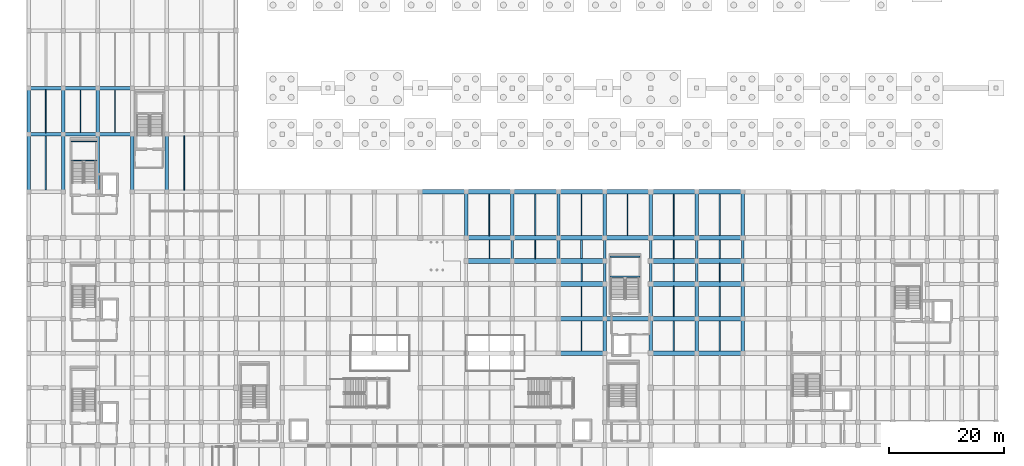
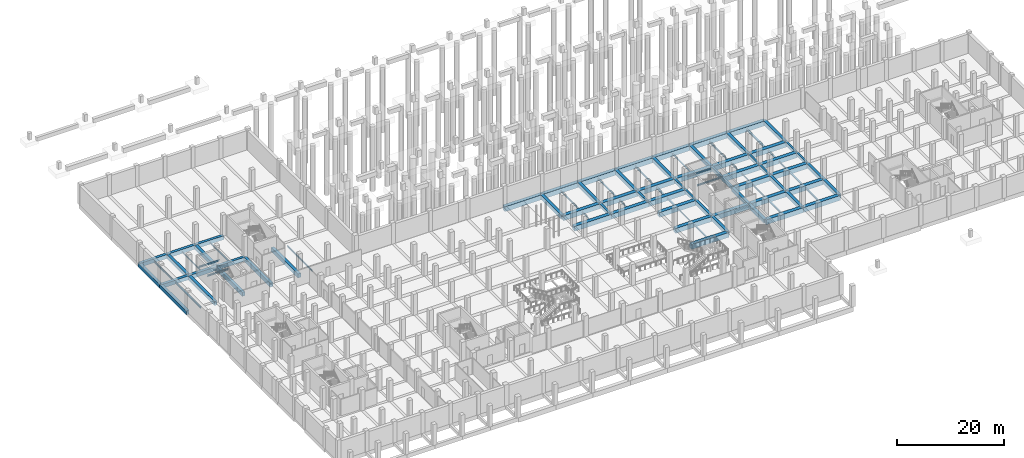
# One storey, part 15 of 36: 96 beams.
"""IFC4 building model written with IfcOpenShell, lengths in metres."""

from ifc_helpers import new_model, si_unit, direction, frame, origin, origin_2d, place, context, subcontext, project, spatial, rectangle, i_section, extrude, material, material_profile, profile_set, type_object, element, save


model = new_model("IFC4")

# Units and contexts
model_context = context("Model", 3, precision=1e-05, world=origin(), true_north=direction((0.0, 1.0)))
body_context = subcontext(model_context, "Body", "Model", "MODEL_VIEW")
ifc_project = project(units=[si_unit("LENGTHUNIT", "METRE"), si_unit("AREAUNIT", "SQUARE_METRE"), si_unit("VOLUMEUNIT", "CUBIC_METRE"), si_unit("PLANEANGLEUNIT", "RADIAN"), si_unit("MASSUNIT", "GRAM", prefix="KILO")], contexts=[model_context])

# Site, building, storey
site_placement = place(None, origin())
site = spatial("IfcSite", under=ifc_project, at=site_placement, CompositionType="ELEMENT")
building_placement = place(site_placement, origin())
building = spatial("IfcBuilding", under=site, at=building_placement, Name="Verrall Gate Interchange", CompositionType="ELEMENT")
storey_placement = place(building_placement, frame((0.0, 0.0, -4.800048828125)))
storey = spatial("IfcBuildingStorey", under=building, at=storey_placement, Name="B1", CompositionType="ELEMENT", Elevation=-4.800048828125)

# Beams
ifc_material_1 = material(Name="Concrete CSA A23.1 35 MPa (Class S-2)", Category="concrete")
ifc_material_profile_1 = material_profile(ifc_material_1, rectangle(XDim=0.800048828125, YDim=1.10009765625, at=origin_2d()), Name="RC800x1100")
ifc_profile_set_1 = profile_set([ifc_material_profile_1], Name="Concrete CSA A23.1 35 MPa (Class S-2)")
beam_type_1 = type_object("IfcBeamType", Name="B-01 Structural Beam RC800x1100", PredefinedType="BEAM", material=ifc_profile_set_1)
for number, where, z_axis, x_axis, name in (
    (1, (92.0, 28.0, -0.550048828125), (1.0, 0.0, 0.0), (0.0, 1.0, 0.0), "B1 Girder BM-B1-0121 (B-01)"),
    (2, (108.0, 28.0, -0.550048828125), (1.0, 0.0, 0.0), (0.0, 1.0, 0.0), "B1 Girder BM-B1-0122 (B-01)"),
    (3, (116.0, 28.0, -0.550048828125), (1.0, 0.0, 0.0), (0.0, 1.0, 0.0), "B1 Girder BM-B1-0123 (B-01)"),
    (4, (92.0, 34.0, -0.550048828125), (1.0, 0.0, 0.0), (0.0, 1.0, 0.0), "B1 Girder BM-B1-0141 (B-01)"),
    (5, (100.0, 34.0, -0.550048828125), (1.0, 0.0, 0.0), (0.0, 1.0, 0.0), "B1 Girder BM-B1-0142 (B-01)"),
    (6, (108.0, 34.0, -0.550048828125), (1.0, 0.0, 0.0), (0.0, 1.0, 0.0), "B1 Girder BM-B1-0143 (B-01)"),
    (7, (116.0, 34.0, -0.550048828125), (1.0, 0.0, 0.0), (0.0, 1.0, 0.0), "B1 Girder BM-B1-0144 (B-01)"),
    (8, (92.0, 40.0, -0.550048828125), (1.0, 0.0, 0.0), (0.0, 1.0, 0.0), "B1 Girder BM-B1-0163 (B-01)"),
    (9, (108.0, 40.0, -0.550048828125), (1.0, 0.0, 0.0), (0.0, 1.0, 0.0), "B1 Girder BM-B1-0164 (B-01)"),
    (10, (116.0, 40.0, -0.550048828125), (1.0, 0.0, 0.0), (0.0, 1.0, 0.0), "B1 Girder BM-B1-0165 (B-01)"),
    (11, (76.0, 44.0, -0.550048828125), (1.0, 0.0, 0.0), (0.0, 1.0, 0.0), "B1 Girder BM-B1-0181 (B-01)"),
    (12, (84.0, 44.0, -0.550048828125), (1.0, 0.0, 0.0), (0.0, 1.0, 0.0), "B1 Girder BM-B1-0182 (B-01)"),
    (13, (92.0, 44.0, -0.550048828125), (1.0, 0.0, 0.0), (0.0, 1.0, 0.0), "B1 Girder BM-B1-0183 (B-01)"),
    (14, (108.0, 44.0, -0.550048828125), (1.0, 0.0, 0.0), (0.0, 1.0, 0.0), "B1 Girder BM-B1-0184 (B-01)"),
    (15, (116.0, 44.0, -0.550048828125), (1.0, 0.0, 0.0), (0.0, 1.0, 0.0), "B1 Girder BM-B1-0185 (B-01)"),
    (16, (76.0, 48.0, -0.550048828125), (1.0, 0.0, 0.0), (0.0, 1.0, 0.0), "B1 Girder BM-B1-0205 (B-01)"),
    (17, (84.0, 48.0, -0.550048828125), (1.0, 0.0, 0.0), (0.0, 1.0, 0.0), "B1 Girder BM-B1-0206 (B-01)"),
    (18, (92.0, 48.0, -0.550048828125), (1.0, 0.0, 0.0), (0.0, 1.0, 0.0), "B1 Girder BM-B1-0207 (B-01)"),
    (19, (100.0, 48.0, -0.550048828125), (1.0, 0.0, 0.0), (0.0, 1.0, 0.0), "B1 Girder BM-B1-0208 (B-01)"),
    (20, (108.0, 48.0, -0.550048828125), (1.0, 0.0, 0.0), (0.0, 1.0, 0.0), "B1 Girder BM-B1-0209 (B-01)"),
    (21, (116.0, 48.0, -0.550048828125), (1.0, 0.0, 0.0), (0.0, 1.0, 0.0), "B1 Girder BM-B1-0210 (B-01)"),
    (22, (68.0, 56.0, -0.550048828125), (1.0, 0.0, 0.0), (0.0, 1.0, 0.0), "B1 Girder BM-B1-0226 (B-01)"),
    (23, (76.0, 56.0, -0.550048828125), (1.0, 0.0, 0.0), (0.0, 1.0, 0.0), "B1 Girder BM-B1-0227 (B-01)"),
    (24, (84.0, 56.0, -0.550048828125), (1.0, 0.0, 0.0), (0.0, 1.0, 0.0), "B1 Girder BM-B1-0228 (B-01)"),
    (25, (92.0, 56.0, -0.550048828125), (1.0, 0.0, 0.0), (0.0, 1.0, 0.0), "B1 Girder BM-B1-0229 (B-01)"),
    (26, (100.0, 56.0, -0.550048828125), (1.0, 0.0, 0.0), (0.0, 1.0, 0.0), "B1 Girder BM-B1-0230 (B-01)"),
    (27, (108.0, 56.0, -0.550048828125), (1.0, 0.0, 0.0), (0.0, 1.0, 0.0), "B1 Girder BM-B1-0231 (B-01)"),
    (28, (116.0, 56.0, -0.550048828125), (1.0, 0.0, 0.0), (0.0, 1.0, 0.0), "B1 Girder BM-B1-0232 (B-01)"),
):
    element("IfcBeam", number, at=place(storey_placement, frame(where, z_axis=z_axis, x_axis=x_axis)), inside=storey, type_object=beam_type_1, Name=name, PredefinedType="BEAM", context=body_context, shape_type="SweptSolid", body=[
        extrude(rectangle(XDim=0.800048828125, YDim=1.10009765625, at=origin_2d()), origin(), (0.0, 0.0, 1.0), 8.0),
    ])
ifc_material_2 = material(Name="Concrete CSA A23.1 40 MPa (Class N)", Category="concrete")
ifc_material_profile_2 = material_profile(ifc_material_2, rectangle(XDim=0.60009765625, YDim=0.89990234375, at=origin_2d()), Name="RC600x900")
ifc_profile_set_2 = profile_set([ifc_material_profile_2], Name="Concrete CSA A23.1 40 MPa (Class N)")
beam_type_2 = type_object("IfcBeamType", Name="B-02 Structural Beam RC600x900", PredefinedType="BEAM", material=ifc_profile_set_2)
for number, where, z_axis, x_axis, name in (
    (29, (0.0, 66.0, -0.449951171875), (1.0, 0.0, 0.0), (0.0, 1.0, 0.0), "B1 Girder BM-B1-0240 (B-02)"),
    (30, (6.0, 66.0, -0.449951171875), (1.0, 0.0, 0.0), (0.0, 1.0, 0.0), "B1 Girder BM-B1-0241 (B-02)"),
    (31, (12.0, 66.0, -0.449951171875), (1.0, 0.0, 0.0), (0.0, 1.0, 0.0), "B1 Girder BM-B1-0242 (B-02)"),
    (32, (0.0, 74.0, -0.449951171875), (1.0, 0.0, 0.0), (0.0, 1.0, 0.0), "B1 Girder BM-B1-0245 (B-02)"),
    (33, (6.0, 74.0, -0.449951171875), (1.0, 0.0, 0.0), (0.0, 1.0, 0.0), "B1 Girder BM-B1-0246 (B-02)"),
    (34, (12.0, 74.0, -0.449951171875), (1.0, 0.0, 0.0), (0.0, 1.0, 0.0), "B1 Girder BM-B1-0247 (B-02)"),
):
    element("IfcBeam", number, at=place(storey_placement, frame(where, z_axis=z_axis, x_axis=x_axis)), inside=storey, type_object=beam_type_2, Name=name, PredefinedType="BEAM", context=body_context, shape_type="SweptSolid", body=[
        extrude(rectangle(XDim=0.60009765625, YDim=0.89990234375, at=origin_2d()), origin(), (0.0, 0.0, 1.0), 6.0),
    ])
beam_1_placement = place(storey_placement, frame((0.0, 56.0, -0.449951171875), z_axis=(0.0, 1.0, 0.0), x_axis=(-1.0, 0.0, 0.0)))
element("IfcBeam", 35, at=beam_1_placement, inside=storey, type_object=beam_type_2, Name="B1 Girder BM-B1-0274 (B-02)", PredefinedType="BEAM", context=body_context, shape_type="SweptSolid", body=[
    extrude(rectangle(XDim=0.60009765625, YDim=0.89990234375, at=origin_2d()), origin(), (0.0, 0.0, 1.0), 10.0),
])
beam_2_placement = place(storey_placement, frame((0.0, 66.0, -0.449951171875), z_axis=(0.0, 1.0, 0.0), x_axis=(-1.0, 0.0, 0.0)))
element("IfcBeam", 36, at=beam_2_placement, inside=storey, type_object=beam_type_2, Name="B1 Girder BM-B1-0275 (B-02)", PredefinedType="BEAM", context=body_context, shape_type="SweptSolid", body=[
    extrude(rectangle(XDim=0.60009765625, YDim=0.89990234375, at=origin_2d()), origin(), (0.0, 0.0, 1.0), 8.0),
])
beam_3_placement = place(storey_placement, frame((6.0, 56.0, -0.449951171875), z_axis=(0.0, 1.0, 0.0), x_axis=(-1.0, 0.0, 0.0)))
element("IfcBeam", 37, at=beam_3_placement, inside=storey, type_object=beam_type_2, Name="B1 Girder BM-B1-0290 (B-02)", PredefinedType="BEAM", context=body_context, shape_type="SweptSolid", body=[
    extrude(rectangle(XDim=0.60009765625, YDim=0.89990234375, at=origin_2d()), origin(), (0.0, 0.0, 1.0), 10.0),
])
beam_4_placement = place(storey_placement, frame((6.0, 66.0, -0.449951171875), z_axis=(0.0, 1.0, 0.0), x_axis=(-1.0, 0.0, 0.0)))
element("IfcBeam", 38, at=beam_4_placement, inside=storey, type_object=beam_type_2, Name="B1 Girder BM-B1-0291 (B-02)", PredefinedType="BEAM", context=body_context, shape_type="SweptSolid", body=[
    extrude(rectangle(XDim=0.60009765625, YDim=0.89990234375, at=origin_2d()), origin(), (0.0, 0.0, 1.0), 8.0),
])
beam_5_placement = place(storey_placement, frame((12.0, 56.0, -0.449951171875), z_axis=(0.0, 1.0, 0.0), x_axis=(-1.0, 0.0, 0.0)))
element("IfcBeam", 39, at=beam_5_placement, inside=storey, type_object=beam_type_2, Name="B1 Girder BM-B1-0305 (B-02)", PredefinedType="BEAM", context=body_context, shape_type="SweptSolid", body=[
    extrude(rectangle(XDim=0.60009765625, YDim=0.89990234375, at=origin_2d()), origin(), (0.0, 0.0, 1.0), 10.0),
])
beam_6_placement = place(storey_placement, frame((12.0, 66.0, -0.449951171875), z_axis=(0.0, 1.0, 0.0), x_axis=(-1.0, 0.0, 0.0)))
element("IfcBeam", 40, at=beam_6_placement, inside=storey, type_object=beam_type_2, Name="B1 Girder BM-B1-0306 (B-02)", PredefinedType="BEAM", context=body_context, shape_type="SweptSolid", body=[
    extrude(rectangle(XDim=0.60009765625, YDim=0.89990234375, at=origin_2d()), origin(), (0.0, 0.0, 1.0), 8.0),
])
for number, where, z_axis, x_axis, name in (
    (41, (18.0, 56.0, -0.449951171875), (0.0, 1.0, 0.0), (-1.0, 0.0, 0.0), "B1 Girder BM-B1-0320 (B-02)"),
    (42, (24.0, 56.0, -0.449951171875), (0.0, 1.0, 0.0), (-1.0, 0.0, 0.0), "B1 Girder BM-B1-0335 (B-02)"),
):
    element("IfcBeam", number, at=place(storey_placement, frame(where, z_axis=z_axis, x_axis=x_axis)), inside=storey, type_object=beam_type_2, Name=name, PredefinedType="BEAM", context=body_context, shape_type="SweptSolid", body=[
        extrude(rectangle(XDim=0.60009765625, YDim=0.89990234375, at=origin_2d()), origin(), (0.0, 0.0, 1.0), 10.0),
    ])
for number, where, z_axis, x_axis, name in (
    (43, (76.0, 48.0, -0.449951171875), (0.0, 1.0, 0.0), (-1.0, 0.0, 0.0), "B1 Girder BM-B1-0419 (B-02)"),
    (44, (84.0, 48.0, -0.449951171875), (0.0, 1.0, 0.0), (-1.0, 0.0, 0.0), "B1 Girder BM-B1-0430 (B-02)"),
    (45, (92.0, 48.0, -0.449951171875), (0.0, 1.0, 0.0), (-1.0, 0.0, 0.0), "B1 Girder BM-B1-0439 (B-02)"),
):
    element("IfcBeam", number, at=place(storey_placement, frame(where, z_axis=z_axis, x_axis=x_axis)), inside=storey, type_object=beam_type_2, Name=name, PredefinedType="BEAM", context=body_context, shape_type="SweptSolid", body=[
        extrude(rectangle(XDim=0.60009765625, YDim=0.89990234375, at=origin_2d()), origin(), (0.0, 0.0, 1.0), 8.0),
    ])
for number, where, z_axis, x_axis, name in (
    (46, (100.0, 28.0, -0.449951171875), (0.0, 1.0, 0.0), (-1.0, 0.0, 0.0), "B1 Girder BM-B1-0446 (B-02)"),
    (47, (100.0, 34.0, -0.449951171875), (0.0, 1.0, 0.0), (-1.0, 0.0, 0.0), "B1 Girder BM-B1-0447 (B-02)"),
):
    element("IfcBeam", number, at=place(storey_placement, frame(where, z_axis=z_axis, x_axis=x_axis)), inside=storey, type_object=beam_type_2, Name=name, PredefinedType="BEAM", context=body_context, shape_type="SweptSolid", body=[
        extrude(rectangle(XDim=0.60009765625, YDim=0.89990234375, at=origin_2d()), origin(), (0.0, 0.0, 1.0), 6.0),
    ])
beam_7_placement = place(storey_placement, frame((100.0, 48.0, -0.449951171875), z_axis=(0.0, 1.0, 0.0), x_axis=(-1.0, 0.0, 0.0)))
element("IfcBeam", 48, at=beam_7_placement, inside=storey, type_object=beam_type_2, Name="B1 Girder BM-B1-0450 (B-02)", PredefinedType="BEAM", context=body_context, shape_type="SweptSolid", body=[
    extrude(rectangle(XDim=0.60009765625, YDim=0.89990234375, at=origin_2d()), origin(), (0.0, 0.0, 1.0), 8.0),
])
for number, where, z_axis, x_axis, name in (
    (49, (108.0, 28.0, -0.449951171875), (0.0, 1.0, 0.0), (-1.0, 0.0, 0.0), "B1 Girder BM-B1-0457 (B-02)"),
    (50, (108.0, 34.0, -0.449951171875), (0.0, 1.0, 0.0), (-1.0, 0.0, 0.0), "B1 Girder BM-B1-0458 (B-02)"),
):
    element("IfcBeam", number, at=place(storey_placement, frame(where, z_axis=z_axis, x_axis=x_axis)), inside=storey, type_object=beam_type_2, Name=name, PredefinedType="BEAM", context=body_context, shape_type="SweptSolid", body=[
        extrude(rectangle(XDim=0.60009765625, YDim=0.89990234375, at=origin_2d()), origin(), (0.0, 0.0, 1.0), 6.0),
    ])
beam_8_placement = place(storey_placement, frame((108.0, 48.0, -0.449951171875), z_axis=(0.0, 1.0, 0.0), x_axis=(-1.0, 0.0, 0.0)))
element("IfcBeam", 51, at=beam_8_placement, inside=storey, type_object=beam_type_2, Name="B1 Girder BM-B1-0461 (B-02)", PredefinedType="BEAM", context=body_context, shape_type="SweptSolid", body=[
    extrude(rectangle(XDim=0.60009765625, YDim=0.89990234375, at=origin_2d()), origin(), (0.0, 0.0, 1.0), 8.0),
])
for number, where, z_axis, x_axis, name in (
    (52, (116.0, 28.0, -0.449951171875), (0.0, 1.0, 0.0), (-1.0, 0.0, 0.0), "B1 Girder BM-B1-0465 (B-02)"),
    (53, (116.0, 34.0, -0.449951171875), (0.0, 1.0, 0.0), (-1.0, 0.0, 0.0), "B1 Girder BM-B1-0466 (B-02)"),
):
    element("IfcBeam", number, at=place(storey_placement, frame(where, z_axis=z_axis, x_axis=x_axis)), inside=storey, type_object=beam_type_2, Name=name, PredefinedType="BEAM", context=body_context, shape_type="SweptSolid", body=[
        extrude(rectangle(XDim=0.60009765625, YDim=0.89990234375, at=origin_2d()), origin(), (0.0, 0.0, 1.0), 6.0),
    ])
beam_9_placement = place(storey_placement, frame((116.0, 48.0, -0.449951171875), z_axis=(0.0, 1.0, 0.0), x_axis=(-1.0, 0.0, 0.0)))
element("IfcBeam", 54, at=beam_9_placement, inside=storey, type_object=beam_type_2, Name="B1 Girder BM-B1-0469 (B-02)", PredefinedType="BEAM", context=body_context, shape_type="SweptSolid", body=[
    extrude(rectangle(XDim=0.60009765625, YDim=0.89990234375, at=origin_2d()), origin(), (0.0, 0.0, 1.0), 8.0),
])
for number, where, z_axis, x_axis, name in (
    (55, (124.0, 28.0, -0.449951171875), (0.0, 1.0, 0.0), (-1.0, 0.0, 0.0), "B1 Girder BM-B1-0473 (B-02)"),
    (56, (124.0, 34.0, -0.449951171875), (0.0, 1.0, 0.0), (-1.0, 0.0, 0.0), "B1 Girder BM-B1-0474 (B-02)"),
):
    element("IfcBeam", number, at=place(storey_placement, frame(where, z_axis=z_axis, x_axis=x_axis)), inside=storey, type_object=beam_type_2, Name=name, PredefinedType="BEAM", context=body_context, shape_type="SweptSolid", body=[
        extrude(rectangle(XDim=0.60009765625, YDim=0.89990234375, at=origin_2d()), origin(), (0.0, 0.0, 1.0), 6.0),
    ])
beam_10_placement = place(storey_placement, frame((124.0, 48.0, -0.449951171875), z_axis=(0.0, 1.0, 0.0), x_axis=(-1.0, 0.0, 0.0)))
element("IfcBeam", 57, at=beam_10_placement, inside=storey, type_object=beam_type_2, Name="B1 Girder BM-B1-0477 (B-02)", PredefinedType="BEAM", context=body_context, shape_type="SweptSolid", body=[
    extrude(rectangle(XDim=0.60009765625, YDim=0.89990234375, at=origin_2d()), origin(), (0.0, 0.0, 1.0), 8.0),
])
ifc_material_3 = material(Name="Concrete CSA A23.1 40 MPa (Class N)", Category="concrete")
ifc_material_profile_3 = material_profile(ifc_material_3, rectangle(XDim=0.449951171875, YDim=0.699951171875, at=origin_2d()), Name="RC450x700")
ifc_profile_set_3 = profile_set([ifc_material_profile_3], Name="Concrete CSA A23.1 40 MPa (Class N)")
beam_type_3 = type_object("IfcBeamType", Name="B-03 Structural Beam RC450x700", PredefinedType="BEAM", material=ifc_profile_set_3)
for number, where, z_axis, x_axis, name in (
    (58, (84.0, 44.0, -0.349853515625), (0.0, 1.0, 0.0), (-1.0, 0.0, 0.0), "B1 Girder BM-B1-0429 (B-03)"),
    (59, (92.0, 44.0, -0.349853515625), (0.0, 1.0, 0.0), (-1.0, 0.0, 0.0), "B1 Girder BM-B1-0438 (B-03)"),
    (60, (100.0, 40.0, -0.349853515625), (0.0, 1.0, 0.0), (-1.0, 0.0, 0.0), "B1 Girder BM-B1-0448 (B-03)"),
    (61, (100.0, 44.0, -0.349853515625), (0.0, 1.0, 0.0), (-1.0, 0.0, 0.0), "B1 Girder BM-B1-0449 (B-03)"),
    (62, (108.0, 40.0, -0.349853515625), (0.0, 1.0, 0.0), (-1.0, 0.0, 0.0), "B1 Girder BM-B1-0459 (B-03)"),
    (63, (108.0, 44.0, -0.349853515625), (0.0, 1.0, 0.0), (-1.0, 0.0, 0.0), "B1 Girder BM-B1-0460 (B-03)"),
    (64, (116.0, 40.0, -0.349853515625), (0.0, 1.0, 0.0), (-1.0, 0.0, 0.0), "B1 Girder BM-B1-0467 (B-03)"),
    (65, (116.0, 44.0, -0.349853515625), (0.0, 1.0, 0.0), (-1.0, 0.0, 0.0), "B1 Girder BM-B1-0468 (B-03)"),
    (66, (124.0, 40.0, -0.349853515625), (0.0, 1.0, 0.0), (-1.0, 0.0, 0.0), "B1 Girder BM-B1-0475 (B-03)"),
    (67, (124.0, 44.0, -0.349853515625), (0.0, 1.0, 0.0), (-1.0, 0.0, 0.0), "B1 Girder BM-B1-0476 (B-03)"),
):
    element("IfcBeam", number, at=place(storey_placement, frame(where, z_axis=z_axis, x_axis=x_axis)), inside=storey, type_object=beam_type_3, Name=name, PredefinedType="BEAM", context=body_context, shape_type="SweptSolid", body=[
        extrude(rectangle(XDim=0.449951171875, YDim=0.699951171875, at=origin_2d()), origin(), (0.0, 0.0, 1.0), 4.0),
    ])
ifc_material_4 = material(Name="Structural Steel CSA G40.21 350W", Category="steel")
ifc_material_profile_4 = material_profile(ifc_material_4, i_section(OverallWidth=0.205078125, OverallDepth=0.35400390625, WebThickness=0.009521484375, FlangeThickness=0.016845703125, FilletRadius=0.012939453125, at=origin_2d()), Name="W360x79")
ifc_profile_set_4 = profile_set([ifc_material_profile_4], Name="Structural Steel CSA G40.21 350W")
beam_type_4 = type_object("IfcBeamType", Name="B-14 Structural Beam W360x79", PredefinedType="BEAM", material=ifc_profile_set_4)
for number, where, z_axis, x_axis, name in (
    (68, (7.35009765625, 61.469970703125, 2.030029296875), (1.0, 0.0, 0.0), (0.0, 1.0, 0.0), "B1 Core C3 Mid-Landing Beam 1"),
    (69, (7.35009765625, 64.719970703125, 2.030029296875), (1.0, 0.0, 0.0), (0.0, 1.0, 0.0), "B1 Core C3 Mid-Landing Beam 2"),
):
    element("IfcBeam", number, at=place(storey_placement, frame(where, z_axis=z_axis, x_axis=x_axis)), inside=storey, type_object=beam_type_4, Name=name, PredefinedType="BEAM", context=body_context, shape_type="SweptSolid", body=[
        extrude(i_section(OverallWidth=0.205078125, OverallDepth=0.35400390625, WebThickness=0.009521484375, FlangeThickness=0.016845703125, FilletRadius=0.012939453125, at=origin_2d()), origin(), (0.0, 0.0, 1.0), 4.5),
    ])
for number, where, z_axis, x_axis, name in (
    (70, (100.9599609375, 41.27001953125, 2.030029296875), (1.0, 0.0, 0.0), (0.0, 1.0, 0.0), "B1 Core C7 Mid-Landing Beam 1"),
    (71, (100.9599609375, 44.719970703125, 2.030029296875), (1.0, 0.0, 0.0), (0.0, 1.0, 0.0), "B1 Core C7 Mid-Landing Beam 2"),
):
    element("IfcBeam", number, at=place(storey_placement, frame(where, z_axis=z_axis, x_axis=x_axis)), inside=storey, type_object=beam_type_4, Name=name, PredefinedType="BEAM", context=body_context, shape_type="SweptSolid", body=[
        extrude(i_section(OverallWidth=0.205078125, OverallDepth=0.35400390625, WebThickness=0.009521484375, FlangeThickness=0.016845703125, FilletRadius=0.012939453125, at=origin_2d()), origin(), (0.0, 0.0, 1.0), 5.179931640625),
    ])
ifc_material_5 = material(Name="Structural Steel CSA G40.21 350W", Category="steel")
ifc_material_profile_5 = material_profile(ifc_material_5, i_section(OverallWidth=0.172119140625, OverallDepth=0.35791015625, WebThickness=0.0078125, FlangeThickness=0.01318359375, FilletRadius=0.010986328125, at=origin_2d()), Name="W360x57")
ifc_profile_set_5 = profile_set([ifc_material_profile_5], Name="Structural Steel CSA G40.21 350W")
beam_type_5 = type_object("IfcBeamType", Name="J-01 Floor Joist W360x57", PredefinedType="JOIST", material=ifc_profile_set_5)
beam_11_placement = place(storey_placement, frame((112.0, 34.39990234375, -0.62890625), z_axis=(0.0, 1.0, 0.0), x_axis=(-1.0, 0.0, 0.0)))
element("IfcBeam", 72, at=beam_11_placement, inside=storey, type_object=beam_type_5, Name="B1 Secondary Floor Joist JST-B1-0638", PredefinedType="JOIST", context=body_context, shape_type="SweptSolid", body=[
    extrude(i_section(OverallWidth=0.172119140625, OverallDepth=0.35791015625, WebThickness=0.0078125, FlangeThickness=0.01318359375, FilletRadius=0.010986328125, at=origin_2d()), origin(), (0.0, 0.0, 1.0), 5.2001953125),
])
for number, where, z_axis, x_axis, name in (
    (73, (120.0, 40.39990234375, -0.62890625), (0.0, 1.0, 0.0), (-1.0, 0.0, 0.0), "B1 Secondary Floor Joist JST-B1-0656"),
    (74, (88.0, 44.39990234375, -0.62890625), (0.0, 1.0, 0.0), (-1.0, 0.0, 0.0), "B1 Secondary Floor Joist JST-B1-0672"),
):
    element("IfcBeam", number, at=place(storey_placement, frame(where, z_axis=z_axis, x_axis=x_axis)), inside=storey, type_object=beam_type_5, Name=name, PredefinedType="JOIST", context=body_context, shape_type="SweptSolid", body=[
        extrude(i_section(OverallWidth=0.172119140625, OverallDepth=0.35791015625, WebThickness=0.0078125, FlangeThickness=0.01318359375, FilletRadius=0.010986328125, at=origin_2d()), origin(), (0.0, 0.0, 1.0), 3.2001953125),
    ])
beam_12_placement = place(storey_placement, frame((112.0, 48.39990234375, -0.62890625), z_axis=(0.0, 1.0, 0.0), x_axis=(-1.0, 0.0, 0.0)))
element("IfcBeam", 75, at=beam_12_placement, inside=storey, type_object=beam_type_5, Name="B1 Secondary Floor Joist JST-B1-0695", PredefinedType="JOIST", context=body_context, shape_type="SweptSolid", body=[
    extrude(i_section(OverallWidth=0.172119140625, OverallDepth=0.35791015625, WebThickness=0.0078125, FlangeThickness=0.01318359375, FilletRadius=0.010986328125, at=origin_2d()), origin(), (0.0, 0.0, 1.0), 7.2001953125),
])
beam_13_placement = place(storey_placement, frame((27.0, 56.300048828125, -0.62890625), z_axis=(0.0, 1.0, 0.0), x_axis=(-1.0, 0.0, 0.0)))
element("IfcBeam", 76, at=beam_13_placement, inside=storey, type_object=beam_type_5, Name="B1 Secondary Floor Joist JST-B1-0705", PredefinedType="JOIST", context=body_context, shape_type="SweptSolid", body=[
    extrude(i_section(OverallWidth=0.172119140625, OverallDepth=0.35791015625, WebThickness=0.0078125, FlangeThickness=0.01318359375, FilletRadius=0.010986328125, at=origin_2d()), origin(), (0.0, 0.0, 1.0), 9.39990234375),
])
beam_14_placement = place(storey_placement, frame((3.0, 66.300048828125, -0.62890625), z_axis=(0.0, 1.0, 0.0), x_axis=(-1.0, 0.0, 0.0)))
element("IfcBeam", 77, at=beam_14_placement, inside=storey, type_object=beam_type_5, Name="B1 Secondary Floor Joist JST-B1-0707", PredefinedType="JOIST", context=body_context, shape_type="SweptSolid", body=[
    extrude(i_section(OverallWidth=0.172119140625, OverallDepth=0.35791015625, WebThickness=0.0078125, FlangeThickness=0.01318359375, FilletRadius=0.010986328125, at=origin_2d()), origin(), (0.0, 0.0, 1.0), 7.39990234375),
])
ifc_material_6 = material(Name="Structural Steel CSA G40.21 350W", Category="steel")
ifc_material_profile_6 = material_profile(ifc_material_6, i_section(OverallWidth=0.306884765625, OverallDepth=0.31396484375, WebThickness=0.011962890625, FlangeThickness=0.018798828125, FilletRadius=0.013916015625, at=origin_2d()), Name="W310x118")
ifc_profile_set_6 = profile_set([ifc_material_profile_6], Name="Structural Steel CSA G40.21 350W")
beam_type_6 = type_object("IfcBeamType", Name="J-02 Floor Joist W310x118", PredefinedType="JOIST", material=ifc_profile_set_6)
for number, where, z_axis, x_axis, name in (
    (78, (112.0, 28.39990234375, -0.60693359375), (0.0, 1.0, 0.0), (-1.0, 0.0, 0.0), "B1 Secondary Floor Joist JST-B1-0621"),
    (79, (120.0, 34.39990234375, -0.60693359375), (0.0, 1.0, 0.0), (-1.0, 0.0, 0.0), "B1 Secondary Floor Joist JST-B1-0639"),
):
    element("IfcBeam", number, at=place(storey_placement, frame(where, z_axis=z_axis, x_axis=x_axis)), inside=storey, type_object=beam_type_6, Name=name, PredefinedType="JOIST", context=body_context, shape_type="SweptSolid", body=[
        extrude(i_section(OverallWidth=0.306884765625, OverallDepth=0.31396484375, WebThickness=0.011962890625, FlangeThickness=0.018798828125, FilletRadius=0.013916015625, at=origin_2d()), origin(), (0.0, 0.0, 1.0), 5.2001953125),
    ])
beam_15_placement = place(storey_placement, frame((96.0, 44.39990234375, -0.60693359375), z_axis=(0.0, 1.0, 0.0), x_axis=(-1.0, 0.0, 0.0)))
element("IfcBeam", 80, at=beam_15_placement, inside=storey, type_object=beam_type_6, Name="B1 Secondary Floor Joist JST-B1-0673", PredefinedType="JOIST", context=body_context, shape_type="SweptSolid", body=[
    extrude(i_section(OverallWidth=0.306884765625, OverallDepth=0.31396484375, WebThickness=0.011962890625, FlangeThickness=0.018798828125, FilletRadius=0.013916015625, at=origin_2d()), origin(), (0.0, 0.0, 1.0), 3.2001953125),
])
beam_16_placement = place(storey_placement, frame((120.0, 48.39990234375, -0.60693359375), z_axis=(0.0, 1.0, 0.0), x_axis=(-1.0, 0.0, 0.0)))
element("IfcBeam", 81, at=beam_16_placement, inside=storey, type_object=beam_type_6, Name="B1 Secondary Floor Joist JST-B1-0696", PredefinedType="JOIST", context=body_context, shape_type="SweptSolid", body=[
    extrude(i_section(OverallWidth=0.306884765625, OverallDepth=0.31396484375, WebThickness=0.011962890625, FlangeThickness=0.018798828125, FilletRadius=0.013916015625, at=origin_2d()), origin(), (0.0, 0.0, 1.0), 7.2001953125),
])
ifc_material_7 = material(Name="Structural Steel CSA G40.21 350W", Category="steel")
ifc_material_profile_7 = material_profile(ifc_material_7, i_section(OverallWidth=0.25390625, OverallDepth=0.305908203125, WebThickness=0.0087890625, FlangeThickness=0.0146484375, FilletRadius=0.012939453125, at=origin_2d()), Name="W310x79")
ifc_profile_set_7 = profile_set([ifc_material_profile_7], Name="Structural Steel CSA G40.21 350W")
beam_type_7 = type_object("IfcBeamType", Name="J-03 Floor Joist W310x79", PredefinedType="JOIST", material=ifc_profile_set_7)
beam_17_placement = place(storey_placement, frame((120.0, 28.39990234375, -0.60302734375), z_axis=(0.0, 1.0, 0.0), x_axis=(-1.0, 0.0, 0.0)))
element("IfcBeam", 82, at=beam_17_placement, inside=storey, type_object=beam_type_7, Name="B1 Secondary Floor Joist JST-B1-0622", PredefinedType="JOIST", context=body_context, shape_type="SweptSolid", body=[
    extrude(i_section(OverallWidth=0.25390625, OverallDepth=0.305908203125, WebThickness=0.0087890625, FlangeThickness=0.0146484375, FilletRadius=0.012939453125, at=origin_2d()), origin(), (0.0, 0.0, 1.0), 5.2001953125),
])
ifc_material_8 = material(Name="Structural Steel CSA G40.21 350W", Category="steel")
ifc_material_profile_8 = material_profile(ifc_material_8, i_section(OverallWidth=0.1650390625, OverallDepth=0.31005859375, WebThickness=0.005859375, FlangeThickness=0.009765625, FilletRadius=0.010009765625, at=origin_2d()), Name="W310x39")
ifc_profile_set_8 = profile_set([ifc_material_profile_8], Name="Structural Steel CSA G40.21 350W")
beam_type_8 = type_object("IfcBeamType", Name="J-04 Floor Joist W310x39", PredefinedType="JOIST", material=ifc_profile_set_8)
beam_18_placement = place(storey_placement, frame((112.0, 44.39990234375, -0.60498046875), z_axis=(0.0, 1.0, 0.0), x_axis=(-1.0, 0.0, 0.0)))
element("IfcBeam", 83, at=beam_18_placement, inside=storey, type_object=beam_type_8, Name="B1 Secondary Floor Joist JST-B1-0674", PredefinedType="JOIST", context=body_context, shape_type="SweptSolid", body=[
    extrude(i_section(OverallWidth=0.1650390625, OverallDepth=0.31005859375, WebThickness=0.005859375, FlangeThickness=0.009765625, FilletRadius=0.010009765625, at=origin_2d()), origin(), (0.0, 0.0, 1.0), 3.2001953125),
])
beam_19_placement = place(storey_placement, frame((80.0, 48.39990234375, -0.60498046875), z_axis=(0.0, 1.0, 0.0), x_axis=(-1.0, 0.0, 0.0)))
element("IfcBeam", 84, at=beam_19_placement, inside=storey, type_object=beam_type_8, Name="B1 Secondary Floor Joist JST-B1-0691", PredefinedType="JOIST", context=body_context, shape_type="SweptSolid", body=[
    extrude(i_section(OverallWidth=0.1650390625, OverallDepth=0.31005859375, WebThickness=0.005859375, FlangeThickness=0.009765625, FilletRadius=0.010009765625, at=origin_2d()), origin(), (0.0, 0.0, 1.0), 7.2001953125),
])
ifc_material_9 = material(Name="Structural Steel CSA G40.21 350W", Category="steel")
ifc_material_profile_9 = material_profile(ifc_material_9, i_section(OverallWidth=0.25390625, OverallDepth=0.2529296875, WebThickness=0.008544921875, FlangeThickness=0.01416015625, FilletRadius=0.011962890625, at=origin_2d()), Name="W250x73")
ifc_profile_set_9 = profile_set([ifc_material_profile_9], Name="Structural Steel CSA G40.21 350W")
beam_type_9 = type_object("IfcBeamType", Name="J-05 Floor Joist W250x73", PredefinedType="JOIST", material=ifc_profile_set_9)
for number, where, z_axis, x_axis, name in (
    (85, (96.0, 40.39990234375, -0.576416015625), (0.0, 1.0, 0.0), (-1.0, 0.0, 0.0), "B1 Secondary Floor Joist JST-B1-0654"),
    (86, (120.0, 44.39990234375, -0.576416015625), (0.0, 1.0, 0.0), (-1.0, 0.0, 0.0), "B1 Secondary Floor Joist JST-B1-0675"),
):
    element("IfcBeam", number, at=place(storey_placement, frame(where, z_axis=z_axis, x_axis=x_axis)), inside=storey, type_object=beam_type_9, Name=name, PredefinedType="JOIST", context=body_context, shape_type="SweptSolid", body=[
        extrude(i_section(OverallWidth=0.25390625, OverallDepth=0.2529296875, WebThickness=0.008544921875, FlangeThickness=0.01416015625, FilletRadius=0.011962890625, at=origin_2d()), origin(), (0.0, 0.0, 1.0), 3.2001953125),
    ])
beam_20_placement = place(storey_placement, frame((88.0, 48.39990234375, -0.576416015625), z_axis=(0.0, 1.0, 0.0), x_axis=(-1.0, 0.0, 0.0)))
element("IfcBeam", 87, at=beam_20_placement, inside=storey, type_object=beam_type_9, Name="B1 Secondary Floor Joist JST-B1-0692", PredefinedType="JOIST", context=body_context, shape_type="SweptSolid", body=[
    extrude(i_section(OverallWidth=0.25390625, OverallDepth=0.2529296875, WebThickness=0.008544921875, FlangeThickness=0.01416015625, FilletRadius=0.011962890625, at=origin_2d()), origin(), (0.0, 0.0, 1.0), 7.2001953125),
])
beam_21_placement = place(storey_placement, frame((3.0, 56.300048828125, -0.576416015625), z_axis=(0.0, 1.0, 0.0), x_axis=(-1.0, 0.0, 0.0)))
element("IfcBeam", 88, at=beam_21_placement, inside=storey, type_object=beam_type_9, Name="B1 Secondary Floor Joist JST-B1-0704", PredefinedType="JOIST", context=body_context, shape_type="SweptSolid", body=[
    extrude(i_section(OverallWidth=0.25390625, OverallDepth=0.2529296875, WebThickness=0.008544921875, FlangeThickness=0.01416015625, FilletRadius=0.011962890625, at=origin_2d()), origin(), (0.0, 0.0, 1.0), 9.39990234375),
])
ifc_material_10 = material(Name="Structural Steel CSA G40.21 350W", Category="steel")
ifc_material_profile_10 = material_profile(ifc_material_10, i_section(OverallWidth=0.201904296875, OverallDepth=0.2470703125, WebThickness=0.00732421875, FlangeThickness=0.010986328125, FilletRadius=0.010986328125, at=origin_2d()), Name="W250x49")
ifc_profile_set_10 = profile_set([ifc_material_profile_10], Name="Structural Steel CSA G40.21 350W")
beam_type_10 = type_object("IfcBeamType", Name="J-06 Floor Joist W250x49", PredefinedType="JOIST", material=ifc_profile_set_10)
beam_22_placement = place(storey_placement, frame((96.0, 34.39990234375, -0.573486328125), z_axis=(0.0, 1.0, 0.0), x_axis=(-1.0, 0.0, 0.0)))
element("IfcBeam", 89, at=beam_22_placement, inside=storey, type_object=beam_type_10, Name="B1 Secondary Floor Joist JST-B1-0637", PredefinedType="JOIST", context=body_context, shape_type="SweptSolid", body=[
    extrude(i_section(OverallWidth=0.201904296875, OverallDepth=0.2470703125, WebThickness=0.00732421875, FlangeThickness=0.010986328125, FilletRadius=0.010986328125, at=origin_2d()), origin(), (0.0, 0.0, 1.0), 5.2001953125),
])
beam_23_placement = place(storey_placement, frame((96.0, 48.39990234375, -0.573486328125), z_axis=(0.0, 1.0, 0.0), x_axis=(-1.0, 0.0, 0.0)))
element("IfcBeam", 90, at=beam_23_placement, inside=storey, type_object=beam_type_10, Name="B1 Secondary Floor Joist JST-B1-0693", PredefinedType="JOIST", context=body_context, shape_type="SweptSolid", body=[
    extrude(i_section(OverallWidth=0.201904296875, OverallDepth=0.2470703125, WebThickness=0.00732421875, FlangeThickness=0.010986328125, FilletRadius=0.010986328125, at=origin_2d()), origin(), (0.0, 0.0, 1.0), 7.2001953125),
])
beam_24_placement = place(storey_placement, frame((15.0, 66.300048828125, -0.573486328125), z_axis=(0.0, 1.0, 0.0), x_axis=(-1.0, 0.0, 0.0)))
element("IfcBeam", 91, at=beam_24_placement, inside=storey, type_object=beam_type_10, Name="B1 Secondary Floor Joist JST-B1-0709", PredefinedType="JOIST", context=body_context, shape_type="SweptSolid", body=[
    extrude(i_section(OverallWidth=0.201904296875, OverallDepth=0.2470703125, WebThickness=0.00732421875, FlangeThickness=0.010986328125, FilletRadius=0.010986328125, at=origin_2d()), origin(), (0.0, 0.0, 1.0), 7.39990234375),
])
ifc_material_11 = material(Name="Structural Steel CSA G40.21 350W", Category="steel")
ifc_material_profile_11 = material_profile(ifc_material_11, i_section(OverallWidth=0.202880859375, OverallDepth=0.202880859375, WebThickness=0.007080078125, FlangeThickness=0.010986328125, FilletRadius=0.010009765625, at=origin_2d()), Name="W200x46")
ifc_profile_set_11 = profile_set([ifc_material_profile_11], Name="Structural Steel CSA G40.21 350W")
beam_type_11 = type_object("IfcBeamType", Name="J-07 Floor Joist W200x46", PredefinedType="JOIST", material=ifc_profile_set_11)
beam_25_placement = place(storey_placement, frame((96.0, 28.39990234375, -0.551513671875), z_axis=(0.0, 1.0, 0.0), x_axis=(-1.0, 0.0, 0.0)))
element("IfcBeam", 92, at=beam_25_placement, inside=storey, type_object=beam_type_11, Name="B1 Secondary Floor Joist JST-B1-0620", PredefinedType="JOIST", context=body_context, shape_type="SweptSolid", body=[
    extrude(i_section(OverallWidth=0.202880859375, OverallDepth=0.202880859375, WebThickness=0.007080078125, FlangeThickness=0.010986328125, FilletRadius=0.010009765625, at=origin_2d()), origin(), (0.0, 0.0, 1.0), 5.2001953125),
])
for number, where, z_axis, x_axis, name in (
    (93, (112.0, 40.39990234375, -0.551513671875), (0.0, 1.0, 0.0), (-1.0, 0.0, 0.0), "B1 Secondary Floor Joist JST-B1-0655"),
    (94, (80.0, 44.39990234375, -0.551513671875), (0.0, 1.0, 0.0), (-1.0, 0.0, 0.0), "B1 Secondary Floor Joist JST-B1-0671"),
):
    element("IfcBeam", number, at=place(storey_placement, frame(where, z_axis=z_axis, x_axis=x_axis)), inside=storey, type_object=beam_type_11, Name=name, PredefinedType="JOIST", context=body_context, shape_type="SweptSolid", body=[
        extrude(i_section(OverallWidth=0.202880859375, OverallDepth=0.202880859375, WebThickness=0.007080078125, FlangeThickness=0.010986328125, FilletRadius=0.010009765625, at=origin_2d()), origin(), (0.0, 0.0, 1.0), 3.2001953125),
    ])
beam_26_placement = place(storey_placement, frame((104.0, 48.39990234375, -0.551513671875), z_axis=(0.0, 1.0, 0.0), x_axis=(-1.0, 0.0, 0.0)))
element("IfcBeam", 95, at=beam_26_placement, inside=storey, type_object=beam_type_11, Name="B1 Secondary Floor Joist JST-B1-0694", PredefinedType="JOIST", context=body_context, shape_type="SweptSolid", body=[
    extrude(i_section(OverallWidth=0.202880859375, OverallDepth=0.202880859375, WebThickness=0.007080078125, FlangeThickness=0.010986328125, FilletRadius=0.010009765625, at=origin_2d()), origin(), (0.0, 0.0, 1.0), 7.2001953125),
])
beam_27_placement = place(storey_placement, frame((9.0, 66.300048828125, -0.551513671875), z_axis=(0.0, 1.0, 0.0), x_axis=(-1.0, 0.0, 0.0)))
element("IfcBeam", 96, at=beam_27_placement, inside=storey, type_object=beam_type_11, Name="B1 Secondary Floor Joist JST-B1-0708", PredefinedType="JOIST", context=body_context, shape_type="SweptSolid", body=[
    extrude(i_section(OverallWidth=0.202880859375, OverallDepth=0.202880859375, WebThickness=0.007080078125, FlangeThickness=0.010986328125, FilletRadius=0.010009765625, at=origin_2d()), origin(), (0.0, 0.0, 1.0), 7.39990234375),
])

save(model, "model.ifc")
